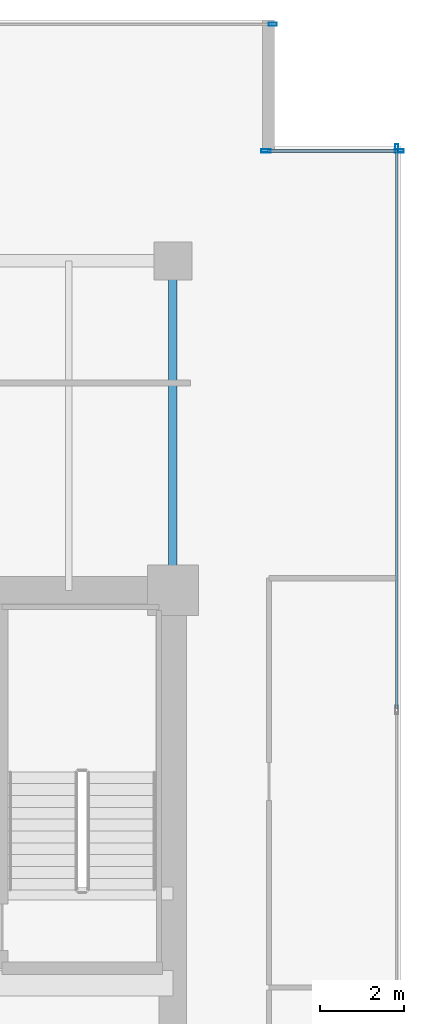
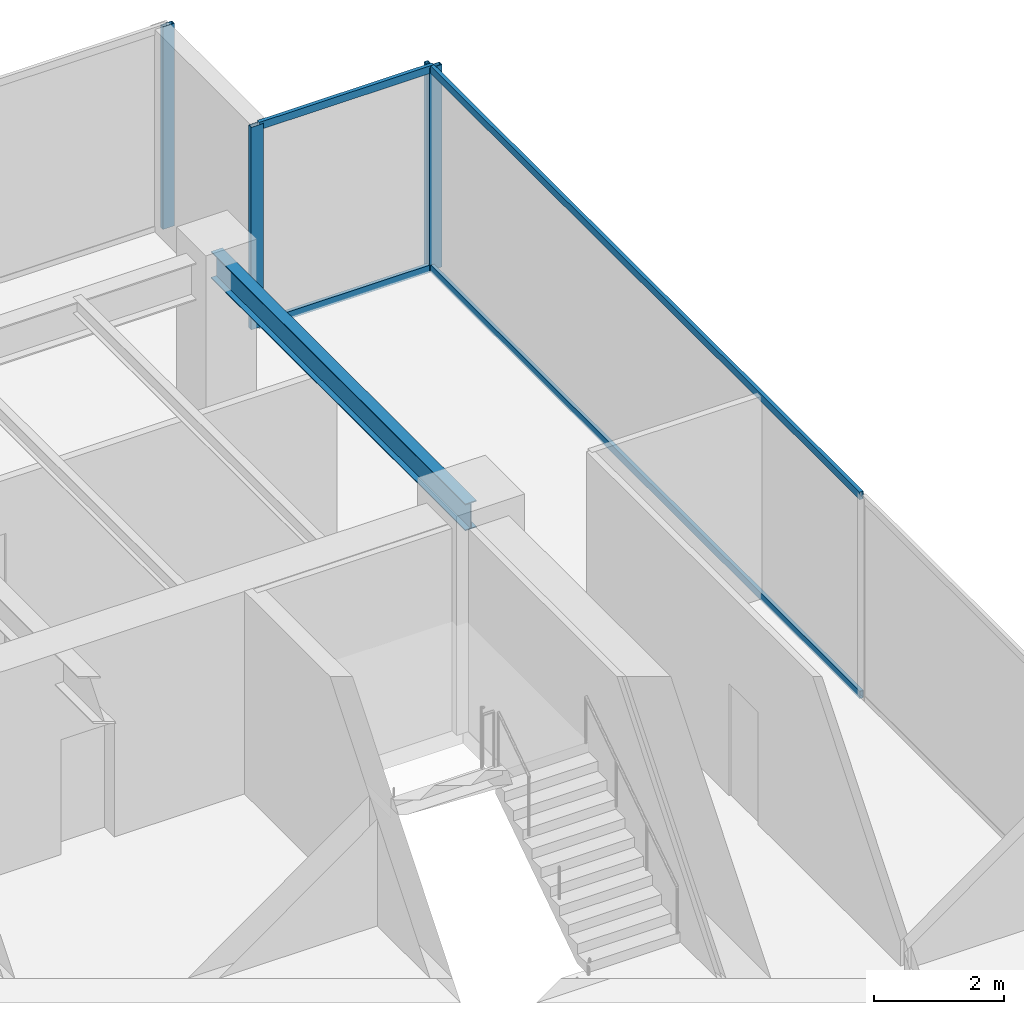
# One storey, part 23 of 30: 8 members, 1 beam, 3 elements without a shape of their own.
"""IFC4 building model written with IfcOpenShell, lengths in metres."""

from ifc_helpers import new_model, si_unit, direction, frame, origin, origin_2d, place, context, subcontext, project, spatial, hollow_rectangle, i_section, extrude, source, transform, mapped, material, layer, layer_set, material_profile, profile_set, type_object, type_shapes, element, aggregate, save


model = new_model("IFC4")

# Units and contexts
model_context = context("Model", 3, precision=1e-05, world=origin(), true_north=direction((0.0, 1.0)))
body_context = subcontext(model_context, "Body", "Model", "MODEL_VIEW")
ifc_project = project(units=[si_unit("LENGTHUNIT", "METRE"), si_unit("AREAUNIT", "SQUARE_METRE"), si_unit("VOLUMEUNIT", "CUBIC_METRE"), si_unit("PLANEANGLEUNIT", "RADIAN"), si_unit("MASSUNIT", "GRAM", prefix="KILO")], contexts=[model_context])

# Site, building, storey
site_placement = place(None, origin())
site = spatial("IfcSite", under=ifc_project, at=site_placement, CompositionType="ELEMENT")
building_placement = place(site_placement, origin())
building = spatial("IfcBuilding", under=site, at=building_placement, Name="Haelvirn Gate Laboratories", CompositionType="ELEMENT")
storey_placement = place(building_placement, frame((0.0, 0.0, 162.5)))
storey = spatial("IfcBuildingStorey", under=building, at=storey_placement, Name="L39", CompositionType="ELEMENT", Elevation=162.5)

# Beam
ifc_material_1 = material(Name="Steel SM355", Category="steel")
ifc_material_profile_1 = material_profile(ifc_material_1, i_section(OverallWidth=0.199951171875, OverallDepth=0.5, WebThickness=0.010009765625, FlangeThickness=0.01611328125, at=origin_2d()), Name="H-500x200x10x16")
ifc_profile_set_1 = profile_set([ifc_material_profile_1], Name="Steel SM355")
beam_type = type_object("IfcBeamType", Name="BM-SP-500", PredefinedType="SPANDREL", material=ifc_profile_set_1)
shared_shape_1 = source(origin(), body_context, "Body", "SweptSolid", [
    extrude(i_section(OverallWidth=0.199951171875, OverallDepth=0.5, WebThickness=0.010009765625, FlangeThickness=0.01611328125, at=origin_2d()), origin(), (0.0, 0.0, 1.0), 7.800048828125),
])
type_shapes(beam_type, [shared_shape_1])
beam_placement = place(storey_placement, frame((67.39990234375, 33.800048828125, 3.5400390625), z_axis=(0.0, 1.0, 0.0), x_axis=(-1.0, 0.0, 0.0)))
element("IfcBeam", 1, at=beam_placement, inside=storey, type_object=beam_type, Name="L39 Perimeter Spandrel X67.4 (33.8-41.6)", PredefinedType="SPANDREL", context=body_context, shape_type="MappedRepresentation", body=[
    mapped(shared_shape_1, transform((0.0, 0.0, 0.0), scale=1.0)),
])

# Curtain wall, members
ifc_material_2 = material(Name="Anodised bronze unitised aluminium & triple low-E glass", Category="aluminium")
ifc_layer_1 = layer(ifc_material_2, 0.181884765625, Name="CW-SYS-5")
ifc_layer_set_1 = layer_set([ifc_layer_1], Name="Anodised bronze unitised aluminium & triple low-E glass")
curtain_wall_type_1 = type_object("IfcCurtainWallType", Name="CW-SYS-5", PredefinedType="NOTDEFINED", material=ifc_layer_set_1)
curtain_wall_1_placement = place(storey_placement, origin())
curtain_wall_1 = element("IfcCurtainWall", 2, at=curtain_wall_1_placement, inside=storey, type_object=curtain_wall_type_1, Name="L39 Unitised Curtain Wall CW-L39-P0-E08-1", PredefinedType="NOTDEFINED")
ifc_material_3 = material(Name="Extruded aluminium 6063-T6 (anodised bronze)", Category="aluminium")
ifc_material_profile_2 = material_profile(ifc_material_3, hollow_rectangle(XDim=0.06494140625, YDim=0.139892578125, WallThickness=0.00390625, at=origin_2d()), Name="CWT-140x65x4")
ifc_profile_set_2 = profile_set([ifc_material_profile_2], Name="Extruded aluminium 6063-T6 (anodised bronze)")
member_type_1 = type_object("IfcMemberType", Name="CWT-T140", PredefinedType="USERDEFINED", material=ifc_profile_set_2)
shared_shape_2 = source(origin(), body_context, "Body", "SweptSolid", [
    extrude(hollow_rectangle(XDim=0.06494140625, YDim=0.139892578125, WallThickness=0.00390625, at=origin_2d()), origin(), (0.0, 0.0, 1.0), 3.080078125),
])
member_1_placement = place(storey_placement, frame((69.639892578125, 44.199951171875, 0.032470703125), z_axis=(1.0, 0.0, 0.0), x_axis=(0.0, 1.0, 0.0)))
member_1 = element("IfcMember", 3, at=member_1_placement, type_object=member_type_1, Name="CW5 transom 1.1", ObjectType="TRANSOM", PredefinedType="USERDEFINED", context=body_context, shape_type="MappedRepresentation", body=[
    mapped(shared_shape_2, transform((0.0, 0.0, 0.0), scale=1.0)),
])
member_2_placement = place(storey_placement, frame((69.639892578125, 44.199951171875, 3.757568359375), z_axis=(1.0, 0.0, 0.0), x_axis=(0.0, 1.0, 0.0)))
member_2 = element("IfcMember", 4, at=member_2_placement, type_object=member_type_1, Name="CW5 transom 1.2", ObjectType="TRANSOM", PredefinedType="USERDEFINED", context=body_context, shape_type="MappedRepresentation", body=[
    mapped(shared_shape_2, transform((0.0, 0.0, 0.0), scale=1.0)),
])

ifc_layer_2 = layer(ifc_material_2, 0.179931640625, Name="CW-SYS-3")
ifc_layer_set_2 = layer_set([ifc_layer_2], Name="Anodised bronze unitised aluminium & triple low-E glass")
curtain_wall_type_2 = type_object("IfcCurtainWallType", Name="CW-SYS-3", PredefinedType="NOTDEFINED", material=ifc_layer_set_2)
curtain_wall_2_placement = place(storey_placement, origin())
curtain_wall_2 = element("IfcCurtainWall", 5, at=curtain_wall_2_placement, inside=storey, type_object=curtain_wall_type_2, Name="L39 Unitised Curtain Wall CW-L39-P0-E07", PredefinedType="NOTDEFINED")
shared_shape_3 = source(origin(), body_context, "Body", "SweptSolid", [
    extrude(hollow_rectangle(XDim=0.06494140625, YDim=0.139892578125, WallThickness=0.00390625, at=origin_2d()), origin(), (0.0, 0.0, 1.0), 13.220947265625),
])
type_shapes(member_type_1, [shared_shape_2, shared_shape_3])
member_3_placement = place(storey_placement, frame((72.699951171875, 31.004150390625, 0.032470703125), z_axis=(0.0, 1.0, 0.0), x_axis=(-1.0, 0.0, 0.0)))
member_3 = element("IfcMember", 6, at=member_3_placement, type_object=member_type_1, Name="CW3 transom 3.1", ObjectType="TRANSOM", PredefinedType="USERDEFINED", context=body_context, shape_type="MappedRepresentation", body=[
    mapped(shared_shape_3, transform((0.0, 0.0, 0.0), scale=1.0)),
])
member_4_placement = place(storey_placement, frame((72.699951171875, 31.004150390625, 3.757568359375), z_axis=(0.0, 1.0, 0.0), x_axis=(-1.0, 0.0, 0.0)))
member_4 = element("IfcMember", 7, at=member_4_placement, type_object=member_type_1, Name="CW3 transom 3.2", ObjectType="TRANSOM", PredefinedType="USERDEFINED", context=body_context, shape_type="MappedRepresentation", body=[
    mapped(shared_shape_3, transform((0.0, 0.0, 0.0), scale=1.0)),
])
ifc_material_profile_3 = material_profile(ifc_material_3, hollow_rectangle(XDim=0.074951171875, YDim=0.199951171875, WallThickness=0.0048828125, at=origin_2d()), Name="CWM-200x75x5")
ifc_profile_set_3 = profile_set([ifc_material_profile_3], Name="Extruded aluminium 6063-T6 (anodised bronze)")
member_type_2 = type_object("IfcMemberType", Name="CWM-T200", PredefinedType="MULLION", material=ifc_profile_set_3)
shared_shape_4 = source(origin(), body_context, "Body", "SweptSolid", [
    extrude(hollow_rectangle(XDim=0.074951171875, YDim=0.199951171875, WallThickness=0.0048828125, at=origin_2d()), origin(), (0.0, 0.0, 1.0), 3.7900390625),
])
type_shapes(member_type_2, [shared_shape_4])
member_5_placement = place(storey_placement, frame((72.699951171875, 44.262451171875, 0.0), z_axis=(0.0, 0.0, 1.0), x_axis=(-1.0, 0.0, 0.0)))
member_5 = element("IfcMember", 8, at=member_5_placement, type_object=member_type_2, Name="CW3 mullion 4", PredefinedType="MULLION", context=body_context, shape_type="MappedRepresentation", body=[
    mapped(shared_shape_4, transform((0.0, 0.0, 0.0), scale=1.0)),
])
aggregate(curtain_wall_2, [member_5, member_3, member_4])

# Curtain wall, member
curtain_wall_3_placement = place(storey_placement, origin())
curtain_wall_3 = element("IfcCurtainWall", 9, at=curtain_wall_3_placement, inside=storey, type_object=curtain_wall_type_2, Name="L39 Unitised Curtain Wall CW-L39-P0-E10-1", PredefinedType="NOTDEFINED")
member_6_placement = place(storey_placement, frame((69.762451171875, 47.199951171875, 0.0), z_axis=(0.0, 0.0, 1.0), x_axis=(0.0, 1.0, 0.0)))
member_6 = element("IfcMember", 10, at=member_6_placement, type_object=member_type_2, Name="CW3 mullion 3", PredefinedType="MULLION", context=body_context, shape_type="MappedRepresentation", body=[
    mapped(shared_shape_4, transform((0.0, 0.0, 0.0), scale=1.0)),
])
aggregate(curtain_wall_3, [member_6])

# Member
ifc_material_profile_4 = material_profile(ifc_material_3, hollow_rectangle(XDim=0.080078125, YDim=0.219970703125, WallThickness=0.006103515625, at=origin_2d()), Name="CWM-220x80x6")
ifc_profile_set_4 = profile_set([ifc_material_profile_4], Name="Extruded aluminium 6063-T6 (anodised bronze)")
member_type_3 = type_object("IfcMemberType", Name="CWM-T220", PredefinedType="MULLION", material=ifc_profile_set_4)
shared_shape_5 = source(origin(), body_context, "Body", "SweptSolid", [
    extrude(hollow_rectangle(XDim=0.080078125, YDim=0.219970703125, WallThickness=0.006103515625, at=origin_2d()), origin(), (0.0, 0.0, 1.0), 3.7900390625),
])
type_shapes(member_type_3, [shared_shape_5])
member_7_placement = place(storey_placement, frame((69.60009765625, 44.199951171875, 0.0), z_axis=(0.0, 0.0, 1.0), x_axis=(0.0, 1.0, 0.0)))
member_7 = element("IfcMember", 11, at=member_7_placement, type_object=member_type_3, Name="CW5 mullion 1", PredefinedType="MULLION", context=body_context, shape_type="MappedRepresentation", body=[
    mapped(shared_shape_5, transform((0.0, 0.0, 0.0), scale=1.0)),
])

member_8_placement = place(storey_placement, frame((72.760009765625, 44.199951171875, 0.0), z_axis=(0.0, 0.0, 1.0), x_axis=(0.0, 1.0, 0.0)))
member_8 = element("IfcMember", 12, at=member_8_placement, type_object=member_type_3, Name="CW5 mullion 2", PredefinedType="MULLION", context=body_context, shape_type="MappedRepresentation", body=[
    mapped(shared_shape_5, transform((0.0, 0.0, 0.0), scale=1.0)),
])

aggregate(curtain_wall_1, [member_7, member_8, member_1, member_2])

save(model, "model.ifc")
